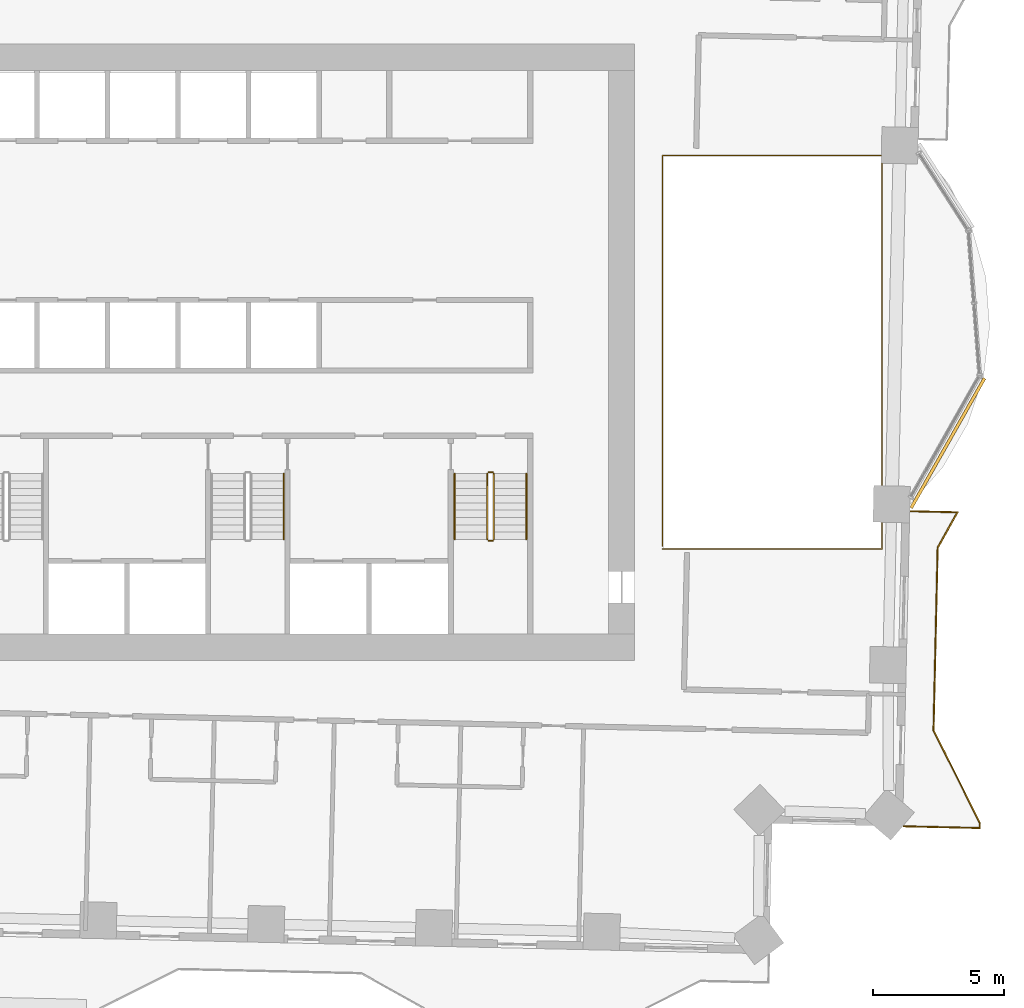
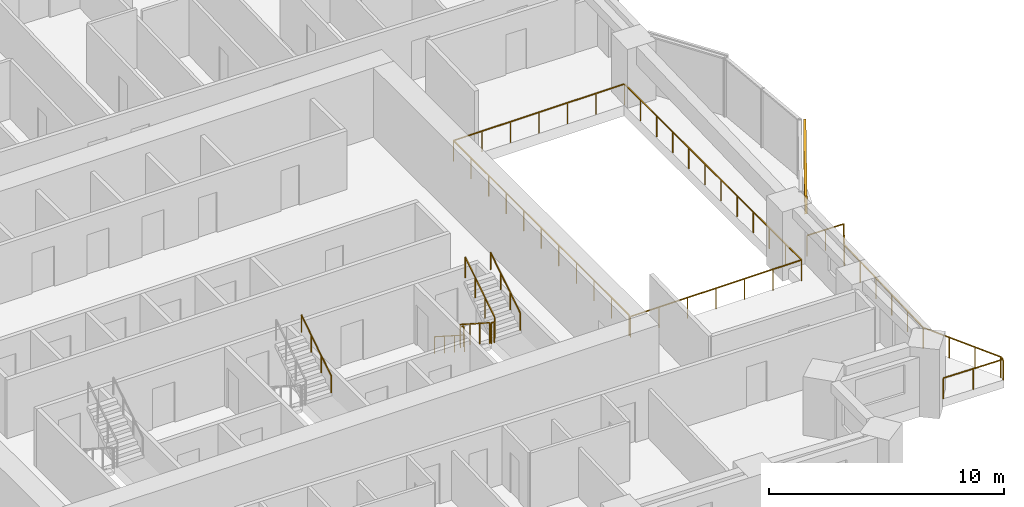
# One storey, part 15 of 16: 9 railings, 1 covering.
"""IFC4 building model written with IfcOpenShell, lengths in metres."""

import ifcopenshell
import ifcopenshell.guid

model = None  # the IFC model being written
_history = None  # IfcOwnerHistory: only IFC2X3 demands one
_inside = {}  # id of a spatial element -> (the spatial element, [elements in it])
_under = {}  # id of a project, library or spatial element -> (it, [spatial elements below it])
_declared = {}  # id of a project -> (the project, [libraries it declares])
_typed = {}  # id of a type object -> (the type object, [elements of that type])
_made_of = {}  # id of a material, layer set ... -> (it, [elements and type objects made of it])


def new_model(schema):
    """Start an empty IFC model of exactly this schema.

    Asked for "IFC4X3", IfcOpenShell would pick the latest addendum, in which some entities
    have other attributes; the version numbers below select the first issue.
    IFC2X3 requires an IfcOwnerHistory on every rooted entity: one is made here for all.
    """
    global model, _history
    if schema == "IFC4X3":
        model = ifcopenshell.file(schema_version=(4, 3, 0, 0))
    else:
        model = ifcopenshell.file(schema=schema)
    _inside.clear()
    _under.clear()
    _declared.clear()
    _typed.clear()
    _made_of.clear()
    _history = None
    if model.schema == "IFC2X3":
        org = make("IfcOrganization", Name="unknown")
        user = make(
            "IfcPersonAndOrganization",
            ThePerson=make("IfcPerson", FamilyName="unknown"),
            TheOrganization=org,
        )
        app = make(
            "IfcApplication",
            ApplicationDeveloper=org,
            Version="unknown",
            ApplicationFullName="unknown",
            ApplicationIdentifier="unknown",
        )
        _history = make(
            "IfcOwnerHistory",
            OwningUser=user,
            OwningApplication=app,
            ChangeAction="ADDED",
            CreationDate=0,
        )
    return model


def make(cls, **values):
    """One entity of the class cls with the attributes given. An attribute that is None is left unset."""
    return model.create_entity(
        cls, **{name: value for name, value in values.items() if value is not None}
    )


def rooted(cls, **values):
    """An entity with a GlobalId (a new one), such as an element, a storey or a relation."""
    return make(cls, GlobalId=ifcopenshell.guid.new(), OwnerHistory=_history, **values)


def si_unit(unit_type, name, prefix=None):
    """IfcSIUnit, for example si_unit("LENGTHUNIT", "METRE", prefix="MILLI")."""
    return make("IfcSIUnit", UnitType=unit_type, Prefix=prefix, Name=name)


def assignment(units):
    """IfcUnitAssignment: the units of a project."""
    return None if units is None else make("IfcUnitAssignment", Units=units)


def point(xyz):
    """IfcCartesianPoint."""
    return None if xyz is None else make("IfcCartesianPoint", Coordinates=xyz)


def direction(xyz):
    """IfcDirection."""
    return None if xyz is None else make("IfcDirection", DirectionRatios=xyz)


def frame(location, z_axis=None, x_axis=None):
    """IfcAxis2Placement3D, a coordinate frame: its origin and axes. An axis left out is left unset."""
    return make(
        "IfcAxis2Placement3D",
        Location=point(location),
        Axis=direction(z_axis),
        RefDirection=direction(x_axis),
    )


def frame_2d(location, x_axis=None):
    """IfcAxis2Placement2D, a coordinate frame in the plane: its origin and x axis."""
    return make(
        "IfcAxis2Placement2D", Location=point(location), RefDirection=direction(x_axis)
    )


def origin():
    """The frame at (0, 0, 0) with its axes left unset."""
    return frame((0.0, 0.0, 0.0))


def origin_2d():
    """The frame at (0, 0) in the plane with its x axis left unset."""
    return frame_2d((0.0, 0.0))


def place(relative_to, where):
    """IfcLocalPlacement: puts the frame where relative to a parent placement (None: the world)."""
    return make(
        "IfcLocalPlacement", PlacementRelTo=relative_to, RelativePlacement=where
    )


def context(
    kind, dimensions, precision=None, world=None, true_north=None, identifier=None
):
    """IfcGeometricRepresentationContext, for example the 3D "Model" context."""
    return make(
        "IfcGeometricRepresentationContext",
        ContextIdentifier=identifier,
        ContextType=kind,
        CoordinateSpaceDimension=dimensions,
        Precision=precision,
        WorldCoordinateSystem=world,
        TrueNorth=true_north,
    )


def subcontext(parent, identifier, kind, view, scale=None):
    """IfcGeometricRepresentationSubContext, for example "Body" below "Model"."""
    return make(
        "IfcGeometricRepresentationSubContext",
        ContextIdentifier=identifier,
        ContextType=kind,
        ParentContext=parent,
        TargetScale=scale,
        TargetView=view,
    )


def project(units=None, contexts=None):
    """IfcProject with its units and contexts."""
    return rooted(
        "IfcProject",
        Name="project",
        RepresentationContexts=contexts,
        UnitsInContext=assignment(units),
    )


def spatial(cls, under=None, at=None, **own):
    """A site, building, storey or space (cls), placed at a placement, below another one or the project."""
    s = rooted(cls, ObjectPlacement=at, **own)
    if under is not None:
        _under.setdefault(under.id(), (under, []))[1].append(s)
    return s


def profile(cls, at=None, kind="AREA", **sizes):
    """A parametric profile (cls). Its sizes go by their IFC names, for example OverallWidth=200.0."""
    return make(cls, ProfileType=kind, Position=at, **sizes)


def rectangle(**sizes):
    """IfcRectangleProfileDef."""
    return profile("IfcRectangleProfileDef", **sizes)


def circle(**sizes):
    """IfcCircleProfileDef."""
    return profile("IfcCircleProfileDef", **sizes)


def extrude(swept, where, along, depth):
    """IfcExtrudedAreaSolid: the profile swept, set in the frame where, extruded along a direction by depth."""
    return make(
        "IfcExtrudedAreaSolid",
        SweptArea=swept,
        Position=where,
        ExtrudedDirection=direction(along),
        Depth=depth,
    )


def shape(context_of_items, identifier, shape_type, items):
    """IfcShapeRepresentation: the items that make up one representation, for example the "Body"."""
    return make(
        "IfcShapeRepresentation",
        ContextOfItems=context_of_items,
        RepresentationIdentifier=identifier,
        RepresentationType=shape_type,
        Items=items,
    )


def material(Name=None, Category=None):
    """IfcMaterial."""
    return make("IfcMaterial", Name=Name, Category=Category)


def layer(
    of_material, thickness, ventilated=None, Name=None, Category=None, Priority=None
):
    """IfcMaterialLayer: one layer of a wall or slab, of a material (None: an air gap)."""
    return make(
        "IfcMaterialLayer",
        Material=of_material,
        LayerThickness=thickness,
        IsVentilated=ventilated,
        Name=Name,
        Category=Category,
        Priority=Priority,
    )


def layer_set(layers, Name=None):
    """IfcMaterialLayerSet."""
    return make("IfcMaterialLayerSet", MaterialLayers=layers, LayerSetName=Name)


def made_of(thing, what):
    """Note that an element or type object is made of a material, layer set ...; save() writes the relation."""
    if what is not None:
        _made_of.setdefault(what.id(), (what, []))[1].append(thing)
    return thing


def type_object(cls, material=None, **own):
    """A type object (cls), such as IfcWallType, which elements share."""
    return made_of(rooted(cls, **own), material)


def element(
    cls,
    number,
    at=None,
    inside=None,
    cuts=None,
    type_object=None,
    material=None,
    context=None,
    identifier="Body",
    shape_type=None,
    held_by="IfcProductDefinitionShape",
    body=None,
    shapes=None,
    **own,
):
    """One element of the class cls, such as IfcWall. Its Tag is "e" and its number.

    at: its placement. inside: the storey or other place that contains it. cuts: it is an
    opening in that element (IfcRelVoidsElement). A single representation is given by context,
    identifier, shape_type and body (its items); several are given by shapes. held_by: the class
    of the entity that holds the representations. save() writes the other relations.
    """
    e = rooted(cls, Tag="e%d" % number, ObjectPlacement=at, **own)
    if body is not None:
        shapes = [shape(context, identifier, shape_type, body)]
    if shapes is not None:
        e.Representation = make(held_by, Representations=shapes)
    if inside is not None:
        _inside.setdefault(inside.id(), (inside, []))[1].append(e)
    if cuts is not None:
        rooted(
            "IfcRelVoidsElement", RelatingBuildingElement=cuts, RelatedOpeningElement=e
        )
    if type_object is not None:
        _typed.setdefault(type_object.id(), (type_object, []))[1].append(e)
    return made_of(e, material)


def aggregate(whole, parts):
    """IfcRelAggregates: a whole, such as a stair, and the parts it consists of."""
    return rooted("IfcRelAggregates", RelatingObject=whole, RelatedObjects=parts)


def save(model, path):
    """Write the relations noted so far, then the file.

    IfcRelAggregates (storeys below a building ...), IfcRelContainedInSpatialStructure (elements
    in a storey), IfcRelDefinesByType, IfcRelAssociatesMaterial and IfcRelDeclares: one each for
    every whole, place, type object, material and project.
    """
    for whole, parts in _under.values():
        aggregate(whole, parts)
    for where, things in _inside.values():
        rooted(
            "IfcRelContainedInSpatialStructure",
            RelatedElements=things,
            RelatingStructure=where,
        )
    for kind, things in _typed.values():
        rooted("IfcRelDefinesByType", RelatedObjects=things, RelatingType=kind)
    for what, things in _made_of.values():
        rooted("IfcRelAssociatesMaterial", RelatedObjects=things, RelatingMaterial=what)
    for by, libraries in _declared.values():
        rooted("IfcRelDeclares", RelatingContext=by, RelatedDefinitions=libraries)
    model.write(path)


model = new_model("IFC4")

# Units and contexts
model_context = context("Model", 3, precision=1e-05, world=origin(), true_north=direction((0.0, 1.0)))
body_context = subcontext(model_context, "Body", "Model", "MODEL_VIEW")
ifc_project = project(units=[si_unit("LENGTHUNIT", "METRE"), si_unit("AREAUNIT", "SQUARE_METRE"), si_unit("VOLUMEUNIT", "CUBIC_METRE"), si_unit("PLANEANGLEUNIT", "RADIAN"), si_unit("MASSUNIT", "GRAM", prefix="KILO")], contexts=[model_context])

# Site, building, storey
site_placement = place(None, origin())
site = spatial("IfcSite", under=ifc_project, at=site_placement, CompositionType="ELEMENT")
building_placement = place(site_placement, origin())
building = spatial("IfcBuilding", under=site, at=building_placement, Name="Mangrove Gate Tower", CompositionType="ELEMENT")
storey_placement = place(building_placement, frame((0.0, 0.0, 101.89990234375)))
storey = spatial("IfcBuildingStorey", under=building, at=storey_placement, Name="L25", CompositionType="ELEMENT", Elevation=101.89990234375)

# Railings
ifc_material_1 = material(Name="Stainless steel grade 316 with laminated glass infill", Category="steel")
railing_type_1 = type_object("IfcRailingType", Name="Balcony guard 1100", PredefinedType="GUARDRAIL", material=ifc_material_1)
railing_1_placement = place(storey_placement, frame((25.10107421875, -18.160888671875, 0.0)))
element("IfcRailing", 1, at=railing_1_placement, inside=storey, type_object=railing_type_1, Name="GUARD L25 E1", PredefinedType="GUARDRAIL", context=body_context, shape_type="SweptSolid", body=[
    extrude(rectangle(XDim=0.048095703125, YDim=0.048095703125, at=origin_2d()), frame((0.0, 0.0, 1.076171875), z_axis=(0.999741618984, -0.02273093202, 0.0), x_axis=(0.02273093202, 0.999741618984, 0.0)), (0.0, 0.0, 1.0), 2.91064453125),
    extrude(rectangle(XDim=0.048095703125, YDim=0.048095703125, at=origin_2d()), frame((2.909912109375, -0.066162109375, 1.076171875), z_axis=(0.019532292583, 0.999809226576, 0.0), x_axis=(-0.999809226576, 0.019532292583, 0.0)), (0.0, 0.0, 1.0), 0.199951171875),
    extrude(rectangle(XDim=0.048095703125, YDim=0.048095703125, at=origin_2d()), frame((2.913818359375, 0.1337890625, 1.076171875), z_axis=(-0.447065574839, 0.894501186021, 0.0), x_axis=(-0.894501186021, -0.447065574839, 0.0)), (0.0, 0.0, 1.0), 3.958740234375),
    extrude(rectangle(XDim=0.048095703125, YDim=0.048095703125, at=origin_2d()), frame((1.14404296875, 3.6748046875, 1.076171875), z_axis=(0.022705559911, 0.999742195543, 0.0), x_axis=(-0.999742195543, 0.022705559911, 0.0)), (0.0, 0.0, 1.0), 6.999755859375),
    extrude(rectangle(XDim=0.048095703125, YDim=0.048095703125, at=origin_2d()), frame((1.302978515625, 10.6728515625, 1.076171875), z_axis=(0.487374509101, 0.873193041588, 0.0), x_axis=(-0.873193041588, 0.487374509101, 0.0)), (0.0, 0.0, 1.0), 1.555419921875),
    extrude(rectangle(XDim=0.048095703125, YDim=0.048095703125, at=origin_2d()), frame((2.06103515625, 12.031005859375, 1.076171875), z_axis=(-0.999739857511, 0.022808272706, 0.0), x_axis=(-0.022808272706, -0.999739857511, 0.0)), (0.0, 0.0, 1.0), 1.78759765625),
    extrude(rectangle(XDim=0.0419921875, YDim=0.0419921875, at=origin_2d()), origin(), (0.0, 0.0, 1.0), 1.052001953125),
    extrude(rectangle(XDim=0.0419921875, YDim=0.0419921875, at=origin_2d()), frame((1.455078125, -0.033203125, 0.0)), (0.0, 0.0, 1.0), 1.052001953125),
    extrude(rectangle(XDim=0.0419921875, YDim=0.0419921875, at=origin_2d()), frame((2.909912109375, -0.066162109375, 0.0)), (0.0, 0.0, 1.0), 1.052001953125),
    extrude(rectangle(XDim=0.0419921875, YDim=0.0419921875, at=origin_2d()), frame((2.913818359375, 0.1337890625, 0.0)), (0.0, 0.0, 1.0), 1.052001953125),
    extrude(rectangle(XDim=0.0419921875, YDim=0.0419921875, at=origin_2d()), frame((2.323974609375, 1.314208984375, 0.0)), (0.0, 0.0, 1.0), 1.052001953125),
    extrude(rectangle(XDim=0.0419921875, YDim=0.0419921875, at=origin_2d()), frame((1.73388671875, 2.494384765625, 0.0)), (0.0, 0.0, 1.0), 1.052001953125),
    extrude(rectangle(XDim=0.0419921875, YDim=0.0419921875, at=origin_2d()), frame((1.14404296875, 3.6748046875, 0.0)), (0.0, 0.0, 1.0), 1.052001953125),
    extrude(rectangle(XDim=0.0419921875, YDim=0.0419921875, at=origin_2d()), frame((1.17578125, 5.074462890625, 0.0)), (0.0, 0.0, 1.0), 1.052001953125),
    extrude(rectangle(XDim=0.0419921875, YDim=0.0419921875, at=origin_2d()), frame((1.20751953125, 6.47412109375, 0.0)), (0.0, 0.0, 1.0), 1.052001953125),
    extrude(rectangle(XDim=0.0419921875, YDim=0.0419921875, at=origin_2d()), frame((1.239501953125, 7.87353515625, 0.0)), (0.0, 0.0, 1.0), 1.052001953125),
    extrude(rectangle(XDim=0.0419921875, YDim=0.0419921875, at=origin_2d()), frame((1.271240234375, 9.273193359375, 0.0)), (0.0, 0.0, 1.0), 1.052001953125),
    extrude(rectangle(XDim=0.0419921875, YDim=0.0419921875, at=origin_2d()), frame((1.302978515625, 10.6728515625, 0.0)), (0.0, 0.0, 1.0), 1.052001953125),
    extrude(rectangle(XDim=0.0419921875, YDim=0.0419921875, at=origin_2d()), frame((1.68212890625, 11.35205078125, 0.0)), (0.0, 0.0, 1.0), 1.052001953125),
    extrude(rectangle(XDim=0.0419921875, YDim=0.0419921875, at=origin_2d()), frame((2.06103515625, 12.031005859375, 0.0)), (0.0, 0.0, 1.0), 1.052001953125),
    extrude(rectangle(XDim=0.0419921875, YDim=0.0419921875, at=origin_2d()), frame((1.16748046875, 12.05126953125, 0.0)), (0.0, 0.0, 1.0), 1.052001953125),
    extrude(rectangle(XDim=0.0419921875, YDim=0.0419921875, at=origin_2d()), frame((0.27392578125, 12.07177734375, 0.0)), (0.0, 0.0, 1.0), 1.052001953125),
])
railing_2_placement = place(storey_placement, frame((15.860107421875, -7.5400390625, 0.0)))
element("IfcRailing", 2, at=railing_2_placement, inside=storey, type_object=railing_type_1, Name="GUARD L25 atrium", PredefinedType="GUARDRAIL", context=body_context, shape_type="SweptSolid", body=[
    extrude(rectangle(XDim=0.048095703125, YDim=0.048095703125, at=origin_2d()), frame((0.0, 0.0, 1.076171875), z_axis=(1.0, 0.0, 0.0), x_axis=(0.0, 1.0, 0.0)), (0.0, 0.0, 1.0), 8.406982421875),
    extrude(rectangle(XDim=0.048095703125, YDim=0.048095703125, at=origin_2d()), frame((8.406982421875, 0.0, 1.076171875), z_axis=(0.0, 1.0, 0.0), x_axis=(-1.0, 0.0, 0.0)), (0.0, 0.0, 1.0), 15.080078125),
    extrude(rectangle(XDim=0.048095703125, YDim=0.048095703125, at=origin_2d()), frame((8.406982421875, 15.080078125, 1.076171875), z_axis=(-1.0, 0.0, 0.0), x_axis=(0.0, -1.0, 0.0)), (0.0, 0.0, 1.0), 8.406982421875),
    extrude(rectangle(XDim=0.048095703125, YDim=0.048095703125, at=origin_2d()), frame((0.0, 15.080078125, 1.076171875), z_axis=(0.0, -1.0, 0.0), x_axis=(1.0, 0.0, 0.0)), (0.0, 0.0, 1.0), 14.9599609375),
    extrude(rectangle(XDim=0.0419921875, YDim=0.0419921875, at=origin_2d()), origin(), (0.0, 0.0, 1.0), 1.052001953125),
    extrude(rectangle(XDim=0.0419921875, YDim=0.0419921875, at=origin_2d()), frame((1.401123046875, 0.0, 0.0)), (0.0, 0.0, 1.0), 1.052001953125),
    extrude(rectangle(XDim=0.0419921875, YDim=0.0419921875, at=origin_2d()), frame((2.80224609375, 0.0, 0.0)), (0.0, 0.0, 1.0), 1.052001953125),
    extrude(rectangle(XDim=0.0419921875, YDim=0.0419921875, at=origin_2d()), frame((4.20361328125, 0.0, 0.0)), (0.0, 0.0, 1.0), 1.052001953125),
    extrude(rectangle(XDim=0.0419921875, YDim=0.0419921875, at=origin_2d()), frame((5.604736328125, 0.0, 0.0)), (0.0, 0.0, 1.0), 1.052001953125),
    extrude(rectangle(XDim=0.0419921875, YDim=0.0419921875, at=origin_2d()), frame((7.005859375, 0.0, 0.0)), (0.0, 0.0, 1.0), 1.052001953125),
    extrude(rectangle(XDim=0.0419921875, YDim=0.0419921875, at=origin_2d()), frame((8.406982421875, 0.0, 0.0)), (0.0, 0.0, 1.0), 1.052001953125),
    extrude(rectangle(XDim=0.0419921875, YDim=0.0419921875, at=origin_2d()), frame((8.406982421875, 1.370849609375, 0.0)), (0.0, 0.0, 1.0), 1.052001953125),
    extrude(rectangle(XDim=0.0419921875, YDim=0.0419921875, at=origin_2d()), frame((8.406982421875, 2.741943359375, 0.0)), (0.0, 0.0, 1.0), 1.052001953125),
    extrude(rectangle(XDim=0.0419921875, YDim=0.0419921875, at=origin_2d()), frame((8.406982421875, 4.11279296875, 0.0)), (0.0, 0.0, 1.0), 1.052001953125),
    extrude(rectangle(XDim=0.0419921875, YDim=0.0419921875, at=origin_2d()), frame((8.406982421875, 5.483642578125, 0.0)), (0.0, 0.0, 1.0), 1.052001953125),
    extrude(rectangle(XDim=0.0419921875, YDim=0.0419921875, at=origin_2d()), frame((8.406982421875, 6.8544921875, 0.0)), (0.0, 0.0, 1.0), 1.052001953125),
    extrude(rectangle(XDim=0.0419921875, YDim=0.0419921875, at=origin_2d()), frame((8.406982421875, 8.2255859375, 0.0)), (0.0, 0.0, 1.0), 1.052001953125),
    extrude(rectangle(XDim=0.0419921875, YDim=0.0419921875, at=origin_2d()), frame((8.406982421875, 9.596435546875, 0.0)), (0.0, 0.0, 1.0), 1.052001953125),
    extrude(rectangle(XDim=0.0419921875, YDim=0.0419921875, at=origin_2d()), frame((8.406982421875, 10.96728515625, 0.0)), (0.0, 0.0, 1.0), 1.052001953125),
    extrude(rectangle(XDim=0.0419921875, YDim=0.0419921875, at=origin_2d()), frame((8.406982421875, 12.338134765625, 0.0)), (0.0, 0.0, 1.0), 1.052001953125),
    extrude(rectangle(XDim=0.0419921875, YDim=0.0419921875, at=origin_2d()), frame((8.406982421875, 13.709228515625, 0.0)), (0.0, 0.0, 1.0), 1.052001953125),
    extrude(rectangle(XDim=0.0419921875, YDim=0.0419921875, at=origin_2d()), frame((8.406982421875, 15.080078125, 0.0)), (0.0, 0.0, 1.0), 1.052001953125),
    extrude(rectangle(XDim=0.0419921875, YDim=0.0419921875, at=origin_2d()), frame((7.005859375, 15.080078125, 0.0)), (0.0, 0.0, 1.0), 1.052001953125),
    extrude(rectangle(XDim=0.0419921875, YDim=0.0419921875, at=origin_2d()), frame((5.604736328125, 15.080078125, 0.0)), (0.0, 0.0, 1.0), 1.052001953125),
    extrude(rectangle(XDim=0.0419921875, YDim=0.0419921875, at=origin_2d()), frame((4.20361328125, 15.080078125, 0.0)), (0.0, 0.0, 1.0), 1.052001953125),
    extrude(rectangle(XDim=0.0419921875, YDim=0.0419921875, at=origin_2d()), frame((2.80224609375, 15.080078125, 0.0)), (0.0, 0.0, 1.0), 1.052001953125),
    extrude(rectangle(XDim=0.0419921875, YDim=0.0419921875, at=origin_2d()), frame((1.401123046875, 15.080078125, 0.0)), (0.0, 0.0, 1.0), 1.052001953125),
    extrude(rectangle(XDim=0.0419921875, YDim=0.0419921875, at=origin_2d()), frame((0.0, 15.080078125, 0.0)), (0.0, 0.0, 1.0), 1.052001953125),
    extrude(rectangle(XDim=0.0419921875, YDim=0.0419921875, at=origin_2d()), frame((0.0, 13.583984375, 0.0)), (0.0, 0.0, 1.0), 1.052001953125),
    extrude(rectangle(XDim=0.0419921875, YDim=0.0419921875, at=origin_2d()), frame((0.0, 12.088134765625, 0.0)), (0.0, 0.0, 1.0), 1.052001953125),
    extrude(rectangle(XDim=0.0419921875, YDim=0.0419921875, at=origin_2d()), frame((0.0, 10.592041015625, 0.0)), (0.0, 0.0, 1.0), 1.052001953125),
    extrude(rectangle(XDim=0.0419921875, YDim=0.0419921875, at=origin_2d()), frame((0.0, 9.09619140625, 0.0)), (0.0, 0.0, 1.0), 1.052001953125),
    extrude(rectangle(XDim=0.0419921875, YDim=0.0419921875, at=origin_2d()), frame((0.0, 7.60009765625, 0.0)), (0.0, 0.0, 1.0), 1.052001953125),
    extrude(rectangle(XDim=0.0419921875, YDim=0.0419921875, at=origin_2d()), frame((0.0, 6.10400390625, 0.0)), (0.0, 0.0, 1.0), 1.052001953125),
    extrude(rectangle(XDim=0.0419921875, YDim=0.0419921875, at=origin_2d()), frame((0.0, 4.608154296875, 0.0)), (0.0, 0.0, 1.0), 1.052001953125),
    extrude(rectangle(XDim=0.0419921875, YDim=0.0419921875, at=origin_2d()), frame((0.0, 3.112060546875, 0.0)), (0.0, 0.0, 1.0), 1.052001953125),
    extrude(rectangle(XDim=0.0419921875, YDim=0.0419921875, at=origin_2d()), frame((0.0, 1.6162109375, 0.0)), (0.0, 0.0, 1.0), 1.052001953125),
    extrude(rectangle(XDim=0.0419921875, YDim=0.0419921875, at=origin_2d()), frame((0.0, 0.1201171875, 0.0)), (0.0, 0.0, 1.0), 1.052001953125),
])
ifc_material_2 = material(Name="Stainless steel 316", Category="steel")
railing_type_2 = type_object("IfcRailingType", Name="Core stair guard 1100", PredefinedType="GUARDRAIL", material=ifc_material_2)
railing_3_placement = place(storey_placement, frame((9.14990234375, -4.64990234375, 0.18017578125)))
element("IfcRailing", 3, at=railing_3_placement, inside=storey, type_object=railing_type_2, Name="L25 ST3 stair guard 1", PredefinedType="GUARDRAIL", context=body_context, shape_type="SweptSolid", body=[
    extrude(rectangle(XDim=0.048095703125, YDim=0.048095703125, at=origin_2d()), frame((0.0, 0.0, 1.076171875), z_axis=(0.0, -0.841199657755, 0.540724639528), x_axis=(1.0, 0.0, 0.0)), (0.0, 0.0, 1.0), 2.995849609375),
    extrude(rectangle(XDim=0.0419921875, YDim=0.0419921875, at=origin_2d()), origin(), (0.0, 0.0, 1.0), 1.052001953125),
    extrude(rectangle(XDim=0.0419921875, YDim=0.0419921875, at=origin_2d()), frame((0.0, -0.840087890625, 0.5400390625)), (0.0, 0.0, 1.0), 1.052001953125),
    extrude(rectangle(XDim=0.0419921875, YDim=0.0419921875, at=origin_2d()), frame((0.0, -1.679931640625, 1.079833984375)), (0.0, 0.0, 1.0), 1.052001953125),
    extrude(rectangle(XDim=0.0419921875, YDim=0.0419921875, at=origin_2d()), frame((0.0, -2.52001953125, 1.619873046875)), (0.0, 0.0, 1.0), 1.052001953125),
])
railing_4_placement = place(storey_placement, frame((9.199951171875, -7.219970703125, 1.800048828125)))
element("IfcRailing", 4, at=railing_4_placement, inside=storey, type_object=railing_type_2, Name="L25 ST3 stair guard 2", PredefinedType="GUARDRAIL", context=body_context, shape_type="SweptSolid", body=[
    extrude(rectangle(XDim=0.048095703125, YDim=0.048095703125, at=origin_2d()), frame((0.0, 0.0, 1.076171875), z_axis=(1.0, 0.0, 0.0), x_axis=(0.0, 1.0, 0.0)), (0.0, 0.0, 1.0), 0.150146484375),
    extrude(rectangle(XDim=0.0419921875, YDim=0.0419921875, at=origin_2d()), origin(), (0.0, 0.0, 1.0), 1.052001953125),
    extrude(rectangle(XDim=0.0419921875, YDim=0.0419921875, at=origin_2d()), frame((0.150146484375, 0.0, 0.0)), (0.0, 0.0, 1.0), 1.052001953125),
])
railing_5_placement = place(storey_placement, frame((9.39990234375, -7.169921875, 1.97998046875)))
element("IfcRailing", 5, at=railing_5_placement, inside=storey, type_object=railing_type_2, Name="L25 ST3 stair guard 3", PredefinedType="GUARDRAIL", context=body_context, shape_type="SweptSolid", body=[
    extrude(rectangle(XDim=0.048095703125, YDim=0.048095703125, at=origin_2d()), frame((0.0, 0.0, 1.076171875), z_axis=(0.0, 0.841162588446, 0.540782303519), x_axis=(-1.0, 0.0, 0.0)), (0.0, 0.0, 1.0), 2.995849609375),
    extrude(rectangle(XDim=0.0419921875, YDim=0.0419921875, at=origin_2d()), origin(), (0.0, 0.0, 1.0), 1.052001953125),
    extrude(rectangle(XDim=0.0419921875, YDim=0.0419921875, at=origin_2d()), frame((0.0, 0.840087890625, 0.5400390625)), (0.0, 0.0, 1.0), 1.052001953125),
    extrude(rectangle(XDim=0.0419921875, YDim=0.0419921875, at=origin_2d()), frame((0.0, 1.679931640625, 1.080078125)), (0.0, 0.0, 1.0), 1.052001953125),
    extrude(rectangle(XDim=0.0419921875, YDim=0.0419921875, at=origin_2d()), frame((0.0, 2.52001953125, 1.6201171875)), (0.0, 0.0, 1.0), 1.052001953125),
])
railing_6_placement = place(storey_placement, frame((9.199951171875, -4.60009765625, 0.0)))
element("IfcRailing", 6, at=railing_6_placement, inside=storey, type_object=railing_type_2, Name="L25 ST3 stair guard 4", PredefinedType="GUARDRAIL", context=body_context, shape_type="SweptSolid", body=[
    extrude(rectangle(XDim=0.048095703125, YDim=0.048095703125, at=origin_2d()), frame((0.0, 0.0, 1.076171875), z_axis=(1.0, 0.0, 0.0), x_axis=(0.0, 1.0, 0.0)), (0.0, 0.0, 1.0), 0.150146484375),
    extrude(rectangle(XDim=0.0419921875, YDim=0.0419921875, at=origin_2d()), origin(), (0.0, 0.0, 1.0), 1.052001953125),
    extrude(rectangle(XDim=0.0419921875, YDim=0.0419921875, at=origin_2d()), frame((0.150146484375, 0.0, 0.0)), (0.0, 0.0, 1.0), 1.052001953125),
])
ifc_material_3 = material(Name="Stainless steel 316", Category="steel")
railing_type_3 = type_object("IfcRailingType", Name="Core stair handrail 900", PredefinedType="HANDRAIL", material=ifc_material_3)
railing_7_placement = place(storey_placement, frame((1.35009765625, -7.169921875, 1.97998046875)))
element("IfcRailing", 7, at=railing_7_placement, inside=storey, type_object=railing_type_3, Name="L25 ST2 stair handrail 2", PredefinedType="HANDRAIL", context=body_context, shape_type="SweptSolid", body=[
    extrude(circle(Radius=0.02392578125, at=origin_2d()), frame((0.0, 0.0, 0.8759765625), z_axis=(0.0, 0.841162588446, 0.540782303519), x_axis=(-1.0, 0.0, 0.0)), (0.0, 0.0, 1.0), 2.995849609375),
    extrude(circle(Radius=0.02099609375, at=origin_2d()), origin(), (0.0, 0.0, 1.0), 0.851806640625),
    extrude(circle(Radius=0.02099609375, at=origin_2d()), frame((0.0, 0.840087890625, 0.5400390625)), (0.0, 0.0, 1.0), 0.851806640625),
    extrude(circle(Radius=0.02099609375, at=origin_2d()), frame((0.0, 1.679931640625, 1.080078125)), (0.0, 0.0, 1.0), 0.851806640625),
    extrude(circle(Radius=0.02099609375, at=origin_2d()), frame((0.0, 2.52001953125, 1.6201171875)), (0.0, 0.0, 1.0), 0.851806640625),
])
railing_8_placement = place(storey_placement, frame((7.89990234375, -4.64990234375, 0.18017578125)))
element("IfcRailing", 8, at=railing_8_placement, inside=storey, type_object=railing_type_3, Name="L25 ST3 stair handrail 1", PredefinedType="HANDRAIL", context=body_context, shape_type="SweptSolid", body=[
    extrude(circle(Radius=0.02392578125, at=origin_2d()), frame((0.0, 0.0, 0.8759765625), z_axis=(0.0, -0.841199657755, 0.540724639528), x_axis=(1.0, 0.0, 0.0)), (0.0, 0.0, 1.0), 2.995849609375),
    extrude(circle(Radius=0.02099609375, at=origin_2d()), origin(), (0.0, 0.0, 1.0), 0.851806640625),
    extrude(circle(Radius=0.02099609375, at=origin_2d()), frame((0.0, -0.840087890625, 0.5400390625)), (0.0, 0.0, 1.0), 0.851806640625),
    extrude(circle(Radius=0.02099609375, at=origin_2d()), frame((0.0, -1.679931640625, 1.079833984375)), (0.0, 0.0, 1.0), 0.851806640625),
    extrude(circle(Radius=0.02099609375, at=origin_2d()), frame((0.0, -2.52001953125, 1.619873046875)), (0.0, 0.0, 1.0), 0.851806640625),
])
railing_9_placement = place(storey_placement, frame((10.64990234375, -7.169921875, 1.97998046875)))
element("IfcRailing", 9, at=railing_9_placement, inside=storey, type_object=railing_type_3, Name="L25 ST3 stair handrail 2", PredefinedType="HANDRAIL", context=body_context, shape_type="SweptSolid", body=[
    extrude(circle(Radius=0.02392578125, at=origin_2d()), frame((0.0, 0.0, 0.8759765625), z_axis=(0.0, 0.841162588446, 0.540782303519), x_axis=(-1.0, 0.0, 0.0)), (0.0, 0.0, 1.0), 2.995849609375),
    extrude(circle(Radius=0.02099609375, at=origin_2d()), origin(), (0.0, 0.0, 1.0), 0.851806640625),
    extrude(circle(Radius=0.02099609375, at=origin_2d()), frame((0.0, 0.840087890625, 0.5400390625)), (0.0, 0.0, 1.0), 0.851806640625),
    extrude(circle(Radius=0.02099609375, at=origin_2d()), frame((0.0, 1.679931640625, 1.080078125)), (0.0, 0.0, 1.0), 0.851806640625),
    extrude(circle(Radius=0.02099609375, at=origin_2d()), frame((0.0, 2.52001953125, 1.6201171875)), (0.0, 0.0, 1.0), 0.851806640625),
])

# Covering
ifc_material_4 = material(Name="Limestone", Category="masonry")
ifc_layer_1 = layer(ifc_material_4, 0.0400390625, Name="Limestone cladding")
ifc_material_5 = material(Name="Stainless steel anchors and cavity", Category="steel")
ifc_layer_2 = layer(ifc_material_5, 0.080078125, Name="Fixing cavity")
ifc_layer_set = layer_set([ifc_layer_1, ifc_layer_2], Name="Joint fascia cladding 120")
covering_type = type_object("IfcCoveringType", Name="Joint fascia cladding 120", PredefinedType="CLADDING", material=ifc_layer_set)
covering_placement = place(storey_placement, frame((25.38818359375, -5.96484375, 2.10009765625), z_axis=(0.0, 0.0, 1.0), x_axis=(0.492461862622, 0.870334024305, 0.0)))
element("IfcCovering", 10, at=covering_placement, inside=storey, type_object=covering_type, Name="STONE FASCIA L25 E1.L1", PredefinedType="CLADDING", context=body_context, shape_type="SweptSolid", body=[
    extrude(rectangle(XDim=5.70556640625, YDim=0.1201171875, at=frame_2d((2.852783203125, 0.0))), origin(), (0.0, 0.0, 1.0), 0.949951171875),
])

save(model, "model.ifc")
